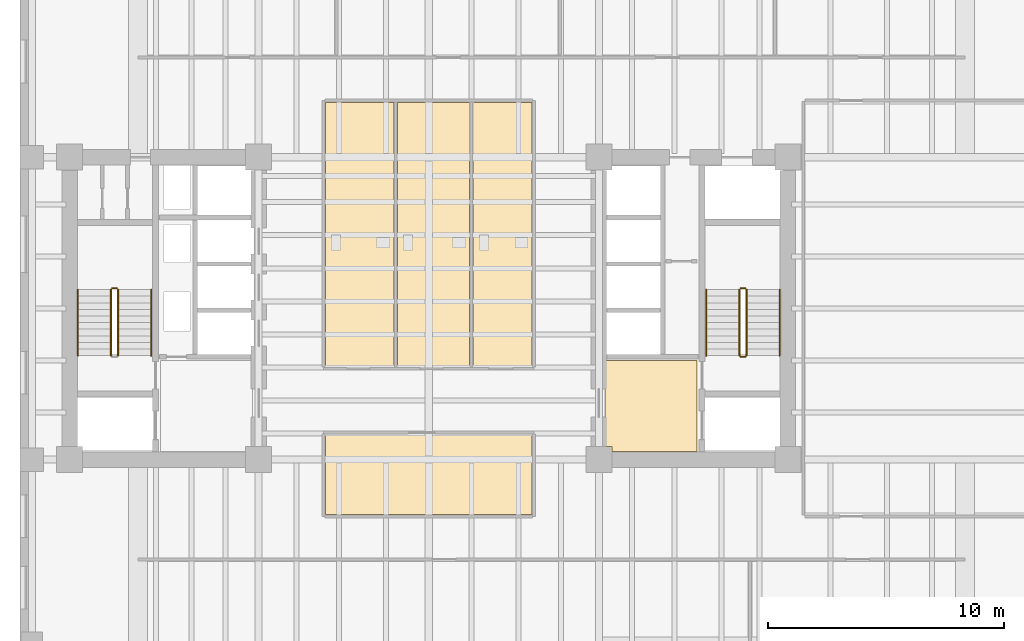
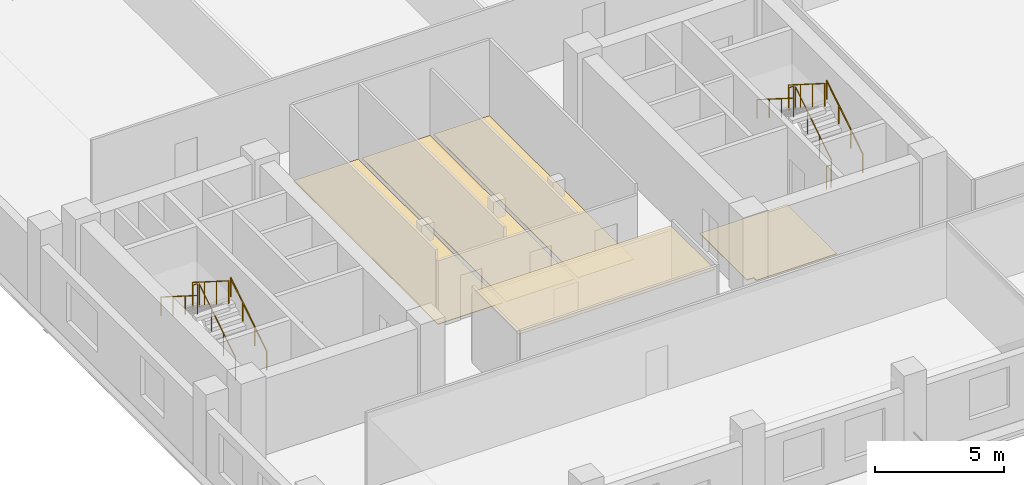
# One storey, part 8 of 10: 11 railings, 5 coverings.
"""IFC4 building model written with IfcOpenShell, lengths in metres."""

import ifcopenshell
import ifcopenshell.guid

model = None  # the IFC model being written
_history = None  # IfcOwnerHistory: only IFC2X3 demands one
_inside = {}  # id of a spatial element -> (the spatial element, [elements in it])
_under = {}  # id of a project, library or spatial element -> (it, [spatial elements below it])
_declared = {}  # id of a project -> (the project, [libraries it declares])
_typed = {}  # id of a type object -> (the type object, [elements of that type])
_made_of = {}  # id of a material, layer set ... -> (it, [elements and type objects made of it])


def new_model(schema):
    """Start an empty IFC model of exactly this schema.

    Asked for "IFC4X3", IfcOpenShell would pick the latest addendum, in which some entities
    have other attributes; the version numbers below select the first issue.
    IFC2X3 requires an IfcOwnerHistory on every rooted entity: one is made here for all.
    """
    global model, _history
    if schema == "IFC4X3":
        model = ifcopenshell.file(schema_version=(4, 3, 0, 0))
    else:
        model = ifcopenshell.file(schema=schema)
    _inside.clear()
    _under.clear()
    _declared.clear()
    _typed.clear()
    _made_of.clear()
    _history = None
    if model.schema == "IFC2X3":
        org = make("IfcOrganization", Name="unknown")
        user = make(
            "IfcPersonAndOrganization",
            ThePerson=make("IfcPerson", FamilyName="unknown"),
            TheOrganization=org,
        )
        app = make(
            "IfcApplication",
            ApplicationDeveloper=org,
            Version="unknown",
            ApplicationFullName="unknown",
            ApplicationIdentifier="unknown",
        )
        _history = make(
            "IfcOwnerHistory",
            OwningUser=user,
            OwningApplication=app,
            ChangeAction="ADDED",
            CreationDate=0,
        )
    return model


def make(cls, **values):
    """One entity of the class cls with the attributes given. An attribute that is None is left unset."""
    return model.create_entity(
        cls, **{name: value for name, value in values.items() if value is not None}
    )


def rooted(cls, **values):
    """An entity with a GlobalId (a new one), such as an element, a storey or a relation."""
    return make(cls, GlobalId=ifcopenshell.guid.new(), OwnerHistory=_history, **values)


def si_unit(unit_type, name, prefix=None):
    """IfcSIUnit, for example si_unit("LENGTHUNIT", "METRE", prefix="MILLI")."""
    return make("IfcSIUnit", UnitType=unit_type, Prefix=prefix, Name=name)


def assignment(units):
    """IfcUnitAssignment: the units of a project."""
    return None if units is None else make("IfcUnitAssignment", Units=units)


def point(xyz):
    """IfcCartesianPoint."""
    return None if xyz is None else make("IfcCartesianPoint", Coordinates=xyz)


def direction(xyz):
    """IfcDirection."""
    return None if xyz is None else make("IfcDirection", DirectionRatios=xyz)


def frame(location, z_axis=None, x_axis=None):
    """IfcAxis2Placement3D, a coordinate frame: its origin and axes. An axis left out is left unset."""
    return make(
        "IfcAxis2Placement3D",
        Location=point(location),
        Axis=direction(z_axis),
        RefDirection=direction(x_axis),
    )


def frame_2d(location, x_axis=None):
    """IfcAxis2Placement2D, a coordinate frame in the plane: its origin and x axis."""
    return make(
        "IfcAxis2Placement2D", Location=point(location), RefDirection=direction(x_axis)
    )


def origin():
    """The frame at (0, 0, 0) with its axes left unset."""
    return frame((0.0, 0.0, 0.0))


def origin_2d():
    """The frame at (0, 0) in the plane with its x axis left unset."""
    return frame_2d((0.0, 0.0))


def place(relative_to, where):
    """IfcLocalPlacement: puts the frame where relative to a parent placement (None: the world)."""
    return make(
        "IfcLocalPlacement", PlacementRelTo=relative_to, RelativePlacement=where
    )


def context(
    kind, dimensions, precision=None, world=None, true_north=None, identifier=None
):
    """IfcGeometricRepresentationContext, for example the 3D "Model" context."""
    return make(
        "IfcGeometricRepresentationContext",
        ContextIdentifier=identifier,
        ContextType=kind,
        CoordinateSpaceDimension=dimensions,
        Precision=precision,
        WorldCoordinateSystem=world,
        TrueNorth=true_north,
    )


def subcontext(parent, identifier, kind, view, scale=None):
    """IfcGeometricRepresentationSubContext, for example "Body" below "Model"."""
    return make(
        "IfcGeometricRepresentationSubContext",
        ContextIdentifier=identifier,
        ContextType=kind,
        ParentContext=parent,
        TargetScale=scale,
        TargetView=view,
    )


def project(units=None, contexts=None):
    """IfcProject with its units and contexts."""
    return rooted(
        "IfcProject",
        Name="project",
        RepresentationContexts=contexts,
        UnitsInContext=assignment(units),
    )


def spatial(cls, under=None, at=None, **own):
    """A site, building, storey or space (cls), placed at a placement, below another one or the project."""
    s = rooted(cls, ObjectPlacement=at, **own)
    if under is not None:
        _under.setdefault(under.id(), (under, []))[1].append(s)
    return s


def polyline(points):
    """IfcPolyline through the points."""
    return make("IfcPolyline", Points=[point(p) for p in points])


def profile(cls, at=None, kind="AREA", **sizes):
    """A parametric profile (cls). Its sizes go by their IFC names, for example OverallWidth=200.0."""
    return make(cls, ProfileType=kind, Position=at, **sizes)


def circle(**sizes):
    """IfcCircleProfileDef."""
    return profile("IfcCircleProfileDef", **sizes)


def outline(outer, holes=None, kind="AREA"):
    """IfcArbitraryClosedProfileDef: a profile drawn as a closed curve; with holes, ...WithVoids."""
    if holes is None:
        return make("IfcArbitraryClosedProfileDef", ProfileType=kind, OuterCurve=outer)
    return make(
        "IfcArbitraryProfileDefWithVoids",
        ProfileType=kind,
        OuterCurve=outer,
        InnerCurves=holes,
    )


def extrude(swept, where, along, depth):
    """IfcExtrudedAreaSolid: the profile swept, set in the frame where, extruded along a direction by depth."""
    return make(
        "IfcExtrudedAreaSolid",
        SweptArea=swept,
        Position=where,
        ExtrudedDirection=direction(along),
        Depth=depth,
    )


def shape(context_of_items, identifier, shape_type, items):
    """IfcShapeRepresentation: the items that make up one representation, for example the "Body"."""
    return make(
        "IfcShapeRepresentation",
        ContextOfItems=context_of_items,
        RepresentationIdentifier=identifier,
        RepresentationType=shape_type,
        Items=items,
    )


def material(Name=None, Category=None):
    """IfcMaterial."""
    return make("IfcMaterial", Name=Name, Category=Category)


def layer(
    of_material, thickness, ventilated=None, Name=None, Category=None, Priority=None
):
    """IfcMaterialLayer: one layer of a wall or slab, of a material (None: an air gap)."""
    return make(
        "IfcMaterialLayer",
        Material=of_material,
        LayerThickness=thickness,
        IsVentilated=ventilated,
        Name=Name,
        Category=Category,
        Priority=Priority,
    )


def layer_set(layers, Name=None):
    """IfcMaterialLayerSet."""
    return make("IfcMaterialLayerSet", MaterialLayers=layers, LayerSetName=Name)


def made_of(thing, what):
    """Note that an element or type object is made of a material, layer set ...; save() writes the relation."""
    if what is not None:
        _made_of.setdefault(what.id(), (what, []))[1].append(thing)
    return thing


def type_object(cls, material=None, **own):
    """A type object (cls), such as IfcWallType, which elements share."""
    return made_of(rooted(cls, **own), material)


def element(
    cls,
    number,
    at=None,
    inside=None,
    cuts=None,
    type_object=None,
    material=None,
    context=None,
    identifier="Body",
    shape_type=None,
    held_by="IfcProductDefinitionShape",
    body=None,
    shapes=None,
    **own,
):
    """One element of the class cls, such as IfcWall. Its Tag is "e" and its number.

    at: its placement. inside: the storey or other place that contains it. cuts: it is an
    opening in that element (IfcRelVoidsElement). A single representation is given by context,
    identifier, shape_type and body (its items); several are given by shapes. held_by: the class
    of the entity that holds the representations. save() writes the other relations.
    """
    e = rooted(cls, Tag="e%d" % number, ObjectPlacement=at, **own)
    if body is not None:
        shapes = [shape(context, identifier, shape_type, body)]
    if shapes is not None:
        e.Representation = make(held_by, Representations=shapes)
    if inside is not None:
        _inside.setdefault(inside.id(), (inside, []))[1].append(e)
    if cuts is not None:
        rooted(
            "IfcRelVoidsElement", RelatingBuildingElement=cuts, RelatedOpeningElement=e
        )
    if type_object is not None:
        _typed.setdefault(type_object.id(), (type_object, []))[1].append(e)
    return made_of(e, material)


def aggregate(whole, parts):
    """IfcRelAggregates: a whole, such as a stair, and the parts it consists of."""
    return rooted("IfcRelAggregates", RelatingObject=whole, RelatedObjects=parts)


def save(model, path):
    """Write the relations noted so far, then the file.

    IfcRelAggregates (storeys below a building ...), IfcRelContainedInSpatialStructure (elements
    in a storey), IfcRelDefinesByType, IfcRelAssociatesMaterial and IfcRelDeclares: one each for
    every whole, place, type object, material and project.
    """
    for whole, parts in _under.values():
        aggregate(whole, parts)
    for where, things in _inside.values():
        rooted(
            "IfcRelContainedInSpatialStructure",
            RelatedElements=things,
            RelatingStructure=where,
        )
    for kind, things in _typed.values():
        rooted("IfcRelDefinesByType", RelatedObjects=things, RelatingType=kind)
    for what, things in _made_of.values():
        rooted("IfcRelAssociatesMaterial", RelatedObjects=things, RelatingMaterial=what)
    for by, libraries in _declared.values():
        rooted("IfcRelDeclares", RelatingContext=by, RelatedDefinitions=libraries)
    model.write(path)


model = new_model("IFC4")

# Units and contexts
model_context = context("Model", 3, precision=1e-05, world=origin(), true_north=direction((0.0, 1.0)))
body_context = subcontext(model_context, "Body", "Model", "MODEL_VIEW")
ifc_project = project(units=[si_unit("LENGTHUNIT", "METRE"), si_unit("AREAUNIT", "SQUARE_METRE"), si_unit("VOLUMEUNIT", "CUBIC_METRE"), si_unit("PLANEANGLEUNIT", "RADIAN"), si_unit("MASSUNIT", "GRAM", prefix="KILO")], contexts=[model_context])

# Site, building, storey
site_placement = place(None, origin())
site = spatial("IfcSite", under=ifc_project, at=site_placement, CompositionType="ELEMENT")
building_placement = place(site_placement, origin())
building = spatial("IfcBuilding", under=site, at=building_placement, Name="Kranthara Brick Stack", CompositionType="ELEMENT")
storey_placement = place(building_placement, frame((0.0, 0.0, 71.10009765625)))
storey = spatial("IfcBuildingStorey", under=building, at=storey_placement, Name="L17", CompositionType="ELEMENT", Elevation=71.10009765625)

# Coverings
ifc_material_1 = material(Name="Perforated mineral-fibre acoustic ceiling tile", Category="other")
ifc_layer_1 = layer(ifc_material_1, 0.02490234375)
ifc_layer_set_1 = layer_set([ifc_layer_1], Name="Perforated mineral-fibre acoustic ceiling tile")
covering_type_1 = type_object("IfcCoveringType", Name="COV-CEIL-ACOUSTIC", PredefinedType="CEILING", material=ifc_layer_set_1)
covering_1_placement = place(storey_placement, frame((0.0, 0.0, 3.329833984375)))
element("IfcCovering", 1, at=covering_1_placement, inside=storey, type_object=covering_type_1, Name="L17 L17 Central Executive Briefing Room Acoustic Ceiling", PredefinedType="CEILING", context=body_context, shape_type="SweptSolid", body=[
    extrude(outline(polyline([(32.3701171875, 18.47998046875), (32.3701171875, 21.8798828125), (23.6298828125, 21.8798828125), (23.6298828125, 18.47998046875), (32.3701171875, 18.47998046875)])), origin(), (0.0, 0.0, 1.0), 0.025146484375),
])
ifc_material_2 = material(Name="Honed terrazzo and porcelain floor finish", Category="stone")
ifc_layer_2 = layer(ifc_material_2, 0.030029296875)
ifc_layer_set_2 = layer_set([ifc_layer_2], Name="Honed terrazzo and porcelain floor finish")
covering_type_2 = type_object("IfcCoveringType", Name="COV-FLOR-STONE", PredefinedType="FLOORING", material=ifc_layer_set_2)
covering_2_placement = place(storey_placement, origin())
element("IfcCovering", 2, at=covering_2_placement, inside=storey, type_object=covering_type_2, Name="L17 Lift Lobby Stone Flooring", PredefinedType="FLOORING", context=body_context, shape_type="SweptSolid", body=[
    extrude(outline(polyline([(35.449951171875, 25.0), (39.35009765625, 25.0), (39.35009765625, 21.14990234375), (35.760009765625, 21.14990234375), (35.760009765625, 21.360107421875), (35.449951171875, 21.360107421875), (35.449951171875, 25.0)])), origin(), (0.0, 0.0, 1.0), 0.02978515625),
])
covering_3_placement = place(storey_placement, origin())
element("IfcCovering", 3, at=covering_3_placement, inside=storey, type_object=covering_type_2, Name="L17 Wet Room Porcelain Flooring", PredefinedType="FLOORING", context=body_context, shape_type="SweptSolid", body=[
    extrude(outline(polyline([(26.52001953125, 24.75), (26.52001953125, 35.919921875), (23.6298828125, 35.919921875), (23.6298828125, 24.75), (26.52001953125, 24.75)])), origin(), (0.0, 0.0, 1.0), 0.02978515625),
])
covering_4_placement = place(storey_placement, origin())
element("IfcCovering", 4, at=covering_4_placement, inside=storey, type_object=covering_type_2, Name="L17 Wet Room Porcelain Flooring", PredefinedType="FLOORING", context=body_context, shape_type="SweptSolid", body=[
    extrude(outline(polyline([(29.719970703125, 24.75), (29.719970703125, 35.919921875), (26.679931640625, 35.919921875), (26.679931640625, 24.75), (29.719970703125, 24.75)])), origin(), (0.0, 0.0, 1.0), 0.02978515625),
])
covering_5_placement = place(storey_placement, origin())
element("IfcCovering", 5, at=covering_5_placement, inside=storey, type_object=covering_type_2, Name="L17 Wet Room Porcelain Flooring", PredefinedType="FLOORING", context=body_context, shape_type="SweptSolid", body=[
    extrude(outline(polyline([(32.3701171875, 24.75), (32.3701171875, 35.919921875), (29.8798828125, 35.919921875), (29.8798828125, 24.75), (32.3701171875, 24.75)])), origin(), (0.0, 0.0, 1.0), 0.02978515625),
])

# Railings
ifc_material_3 = material(Name="Painted galvanized steel stair guardrail", Category="steel")
railing_type_1 = type_object("IfcRailingType", Name="RL-STAIR-GUARD-1100", PredefinedType="GUARDRAIL", material=ifc_material_3)
railing_1_placement = place(storey_placement, frame((14.85009765625, 25.199951171875, 0.17724609375)))
element("IfcRailing", 6, at=railing_1_placement, inside=storey, type_object=railing_type_1, Name="L17 ST01 stair guard 1", PredefinedType="GUARDRAIL", context=body_context, shape_type="SweptSolid", body=[
    extrude(circle(Radius=0.02392578125, at=origin_2d()), frame((0.0, 0.0, 1.076171875), z_axis=(0.0, 0.844908973607, 0.534910110503), x_axis=(-1.0, 0.0, 0.0)), (0.0, 0.0, 1.0), 3.31396484375),
    extrude(circle(Radius=0.02099609375, at=origin_2d()), origin(), (0.0, 0.0, 1.0), 1.052001953125),
    extrude(circle(Radius=0.02099609375, at=origin_2d()), frame((0.0, 0.933349609375, 0.5908203125)), (0.0, 0.0, 1.0), 1.052001953125),
    extrude(circle(Radius=0.02099609375, at=origin_2d()), frame((0.0, 1.86669921875, 1.181884765625)), (0.0, 0.0, 1.0), 1.052001953125),
    extrude(circle(Radius=0.02099609375, at=origin_2d()), frame((0.0, 2.800048828125, 1.772705078125)), (0.0, 0.0, 1.0), 1.052001953125),
])
railing_2_placement = place(storey_placement, frame((14.800048828125, 28.050048828125, 1.949951171875)))
element("IfcRailing", 7, at=railing_2_placement, inside=storey, type_object=railing_type_1, Name="L17 ST01 stair guard 2", PredefinedType="GUARDRAIL", context=body_context, shape_type="SweptSolid", body=[
    extrude(circle(Radius=0.02392578125, at=origin_2d()), frame((0.0, 0.0, 1.076171875), z_axis=(-1.0, 0.0, 0.0), x_axis=(0.0, -1.0, 0.0)), (0.0, 0.0, 1.0), 0.199951171875),
    extrude(circle(Radius=0.02099609375, at=origin_2d()), origin(), (0.0, 0.0, 1.0), 1.052001953125),
    extrude(circle(Radius=0.02099609375, at=origin_2d()), frame((-0.199951171875, 0.0, 0.0)), (0.0, 0.0, 1.0), 1.052001953125),
])
railing_3_placement = place(storey_placement, frame((14.550048828125, 28.0, 2.127197265625)))
element("IfcRailing", 8, at=railing_3_placement, inside=storey, type_object=railing_type_1, Name="L17 ST01 stair guard 3", PredefinedType="GUARDRAIL", context=body_context, shape_type="SweptSolid", body=[
    extrude(circle(Radius=0.02392578125, at=origin_2d()), frame((0.0, 0.0, 1.076171875), z_axis=(0.0, -0.844908973607, 0.534910110503), x_axis=(1.0, 0.0, 0.0)), (0.0, 0.0, 1.0), 3.31396484375),
    extrude(circle(Radius=0.02099609375, at=origin_2d()), origin(), (0.0, 0.0, 1.0), 1.052001953125),
    extrude(circle(Radius=0.02099609375, at=origin_2d()), frame((0.0, -0.933349609375, 0.5908203125)), (0.0, 0.0, 1.0), 1.052001953125),
    extrude(circle(Radius=0.02099609375, at=origin_2d()), frame((0.0, -1.86669921875, 1.181884765625)), (0.0, 0.0, 1.0), 1.052001953125),
    extrude(circle(Radius=0.02099609375, at=origin_2d()), frame((0.0, -2.800048828125, 1.772705078125)), (0.0, 0.0, 1.0), 1.052001953125),
])
railing_4_placement = place(storey_placement, frame((41.449951171875, 25.199951171875, 0.17724609375)))
element("IfcRailing", 9, at=railing_4_placement, inside=storey, type_object=railing_type_1, Name="L17 ST02 stair guard 1", PredefinedType="GUARDRAIL", context=body_context, shape_type="SweptSolid", body=[
    extrude(circle(Radius=0.02392578125, at=origin_2d()), frame((0.0, 0.0, 1.076171875), z_axis=(0.0, 0.844908973607, 0.534910110503), x_axis=(-1.0, 0.0, 0.0)), (0.0, 0.0, 1.0), 3.31396484375),
    extrude(circle(Radius=0.02099609375, at=origin_2d()), origin(), (0.0, 0.0, 1.0), 1.052001953125),
    extrude(circle(Radius=0.02099609375, at=origin_2d()), frame((0.0, 0.933349609375, 0.5908203125)), (0.0, 0.0, 1.0), 1.052001953125),
    extrude(circle(Radius=0.02099609375, at=origin_2d()), frame((0.0, 1.86669921875, 1.181884765625)), (0.0, 0.0, 1.0), 1.052001953125),
    extrude(circle(Radius=0.02099609375, at=origin_2d()), frame((0.0, 2.800048828125, 1.772705078125)), (0.0, 0.0, 1.0), 1.052001953125),
])
railing_5_placement = place(storey_placement, frame((41.39990234375, 28.050048828125, 1.949951171875)))
element("IfcRailing", 10, at=railing_5_placement, inside=storey, type_object=railing_type_1, Name="L17 ST02 stair guard 2", PredefinedType="GUARDRAIL", context=body_context, shape_type="SweptSolid", body=[
    extrude(circle(Radius=0.02392578125, at=origin_2d()), frame((0.0, 0.0, 1.076171875), z_axis=(-1.0, 0.0, 0.0), x_axis=(0.0, -1.0, 0.0)), (0.0, 0.0, 1.0), 0.199951171875),
    extrude(circle(Radius=0.02099609375, at=origin_2d()), origin(), (0.0, 0.0, 1.0), 1.052001953125),
    extrude(circle(Radius=0.02099609375, at=origin_2d()), frame((-0.199951171875, 0.0, 0.0)), (0.0, 0.0, 1.0), 1.052001953125),
])
railing_6_placement = place(storey_placement, frame((41.14990234375, 28.0, 2.127197265625)))
element("IfcRailing", 11, at=railing_6_placement, inside=storey, type_object=railing_type_1, Name="L17 ST02 stair guard 3", PredefinedType="GUARDRAIL", context=body_context, shape_type="SweptSolid", body=[
    extrude(circle(Radius=0.02392578125, at=origin_2d()), frame((0.0, 0.0, 1.076171875), z_axis=(0.0, -0.844908973607, 0.534910110503), x_axis=(1.0, 0.0, 0.0)), (0.0, 0.0, 1.0), 3.31396484375),
    extrude(circle(Radius=0.02099609375, at=origin_2d()), origin(), (0.0, 0.0, 1.0), 1.052001953125),
    extrude(circle(Radius=0.02099609375, at=origin_2d()), frame((0.0, -0.933349609375, 0.5908203125)), (0.0, 0.0, 1.0), 1.052001953125),
    extrude(circle(Radius=0.02099609375, at=origin_2d()), frame((0.0, -1.86669921875, 1.181884765625)), (0.0, 0.0, 1.0), 1.052001953125),
    extrude(circle(Radius=0.02099609375, at=origin_2d()), frame((0.0, -2.800048828125, 1.772705078125)), (0.0, 0.0, 1.0), 1.052001953125),
])
railing_7_placement = place(storey_placement, frame((41.39990234375, 25.14990234375, 0.0)))
element("IfcRailing", 12, at=railing_7_placement, inside=storey, type_object=railing_type_1, Name="L17 ST02 stair guard 4", PredefinedType="GUARDRAIL", context=body_context, shape_type="SweptSolid", body=[
    extrude(circle(Radius=0.02392578125, at=origin_2d()), frame((0.0, 0.0, 1.076171875), z_axis=(-1.0, 0.0, 0.0), x_axis=(0.0, -1.0, 0.0)), (0.0, 0.0, 1.0), 0.199951171875),
    extrude(circle(Radius=0.02099609375, at=origin_2d()), origin(), (0.0, 0.0, 1.0), 1.052001953125),
    extrude(circle(Radius=0.02099609375, at=origin_2d()), frame((-0.199951171875, 0.0, 0.0)), (0.0, 0.0, 1.0), 1.052001953125),
])
ifc_material_4 = material(Name="Brushed stainless steel tubular handrail", Category="steel")
railing_type_2 = type_object("IfcRailingType", Name="RL-STAIR-HAND-900", PredefinedType="HANDRAIL", material=ifc_material_4)
railing_8_placement = place(storey_placement, frame((16.25, 25.199951171875, 0.17724609375)))
element("IfcRailing", 13, at=railing_8_placement, inside=storey, type_object=railing_type_2, Name="L17 ST01 stair handrail 1", PredefinedType="HANDRAIL", context=body_context, shape_type="SweptSolid", body=[
    extrude(circle(Radius=0.02392578125, at=origin_2d()), frame((0.0, 0.0, 0.8759765625), z_axis=(0.0, 0.844908973607, 0.534910110503), x_axis=(-1.0, 0.0, 0.0)), (0.0, 0.0, 1.0), 3.31396484375),
    extrude(circle(Radius=0.02099609375, at=origin_2d()), origin(), (0.0, 0.0, 1.0), 0.851806640625),
    extrude(circle(Radius=0.02099609375, at=origin_2d()), frame((0.0, 0.933349609375, 0.5908203125)), (0.0, 0.0, 1.0), 0.851806640625),
    extrude(circle(Radius=0.02099609375, at=origin_2d()), frame((0.0, 1.86669921875, 1.181884765625)), (0.0, 0.0, 1.0), 0.851806640625),
    extrude(circle(Radius=0.02099609375, at=origin_2d()), frame((0.0, 2.800048828125, 1.772705078125)), (0.0, 0.0, 1.0), 0.851806640625),
])
railing_9_placement = place(storey_placement, frame((13.14990234375, 28.0, 2.127197265625)))
element("IfcRailing", 14, at=railing_9_placement, inside=storey, type_object=railing_type_2, Name="L17 ST01 stair handrail 2", PredefinedType="HANDRAIL", context=body_context, shape_type="SweptSolid", body=[
    extrude(circle(Radius=0.02392578125, at=origin_2d()), frame((0.0, 0.0, 0.8759765625), z_axis=(0.0, -0.844908973607, 0.534910110503), x_axis=(1.0, 0.0, 0.0)), (0.0, 0.0, 1.0), 3.31396484375),
    extrude(circle(Radius=0.02099609375, at=origin_2d()), origin(), (0.0, 0.0, 1.0), 0.851806640625),
    extrude(circle(Radius=0.02099609375, at=origin_2d()), frame((0.0, -0.933349609375, 0.5908203125)), (0.0, 0.0, 1.0), 0.851806640625),
    extrude(circle(Radius=0.02099609375, at=origin_2d()), frame((0.0, -1.86669921875, 1.181884765625)), (0.0, 0.0, 1.0), 0.851806640625),
    extrude(circle(Radius=0.02099609375, at=origin_2d()), frame((0.0, -2.800048828125, 1.772705078125)), (0.0, 0.0, 1.0), 0.851806640625),
])
railing_10_placement = place(storey_placement, frame((42.85009765625, 25.199951171875, 0.17724609375)))
element("IfcRailing", 15, at=railing_10_placement, inside=storey, type_object=railing_type_2, Name="L17 ST02 stair handrail 1", PredefinedType="HANDRAIL", context=body_context, shape_type="SweptSolid", body=[
    extrude(circle(Radius=0.02392578125, at=origin_2d()), frame((0.0, 0.0, 0.8759765625), z_axis=(0.0, 0.844908973607, 0.534910110503), x_axis=(-1.0, 0.0, 0.0)), (0.0, 0.0, 1.0), 3.31396484375),
    extrude(circle(Radius=0.02099609375, at=origin_2d()), origin(), (0.0, 0.0, 1.0), 0.851806640625),
    extrude(circle(Radius=0.02099609375, at=origin_2d()), frame((0.0, 0.933349609375, 0.5908203125)), (0.0, 0.0, 1.0), 0.851806640625),
    extrude(circle(Radius=0.02099609375, at=origin_2d()), frame((0.0, 1.86669921875, 1.181884765625)), (0.0, 0.0, 1.0), 0.851806640625),
    extrude(circle(Radius=0.02099609375, at=origin_2d()), frame((0.0, 2.800048828125, 1.772705078125)), (0.0, 0.0, 1.0), 0.851806640625),
])
railing_11_placement = place(storey_placement, frame((39.75, 28.0, 2.127197265625)))
element("IfcRailing", 16, at=railing_11_placement, inside=storey, type_object=railing_type_2, Name="L17 ST02 stair handrail 2", PredefinedType="HANDRAIL", context=body_context, shape_type="SweptSolid", body=[
    extrude(circle(Radius=0.02392578125, at=origin_2d()), frame((0.0, 0.0, 0.8759765625), z_axis=(0.0, -0.844908973607, 0.534910110503), x_axis=(1.0, 0.0, 0.0)), (0.0, 0.0, 1.0), 3.31396484375),
    extrude(circle(Radius=0.02099609375, at=origin_2d()), origin(), (0.0, 0.0, 1.0), 0.851806640625),
    extrude(circle(Radius=0.02099609375, at=origin_2d()), frame((0.0, -0.933349609375, 0.5908203125)), (0.0, 0.0, 1.0), 0.851806640625),
    extrude(circle(Radius=0.02099609375, at=origin_2d()), frame((0.0, -1.86669921875, 1.181884765625)), (0.0, 0.0, 1.0), 0.851806640625),
    extrude(circle(Radius=0.02099609375, at=origin_2d()), frame((0.0, -2.800048828125, 1.772705078125)), (0.0, 0.0, 1.0), 0.851806640625),
])

save(model, "model.ifc")
